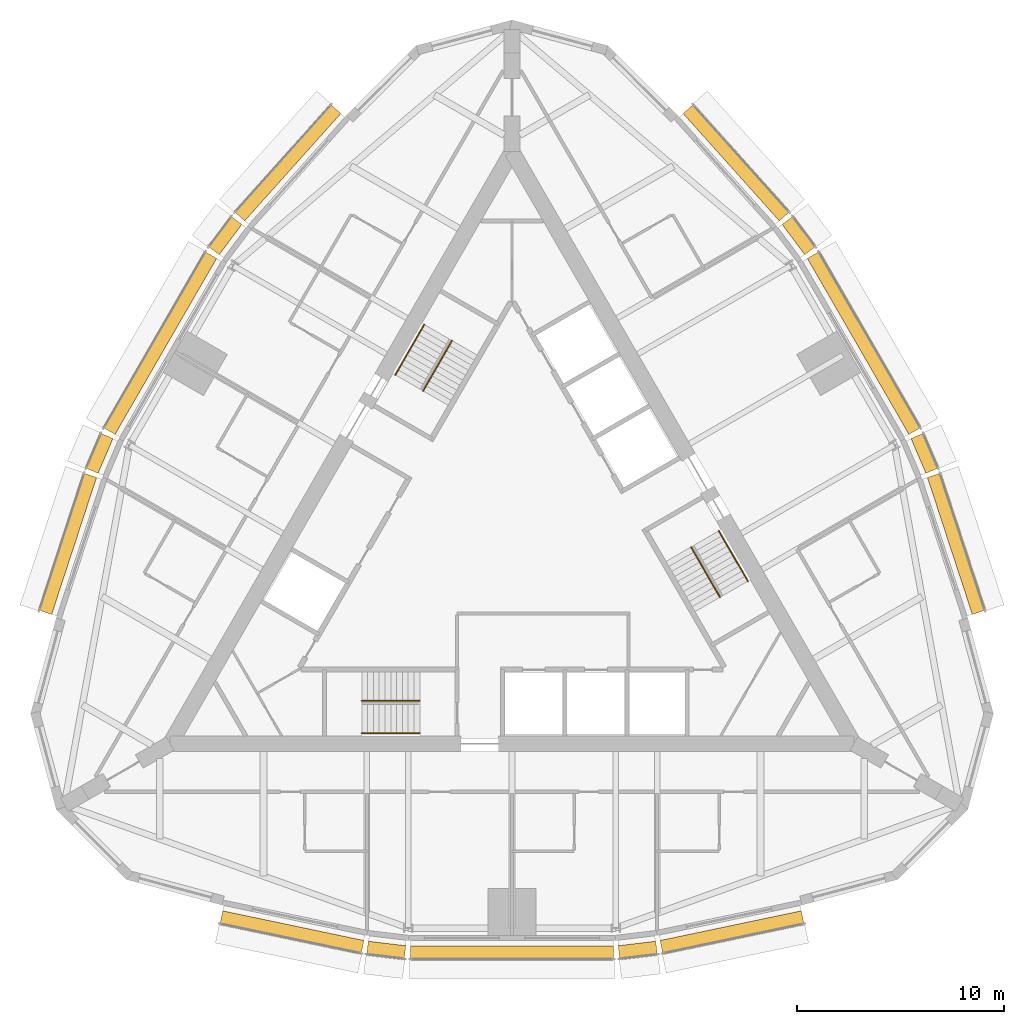
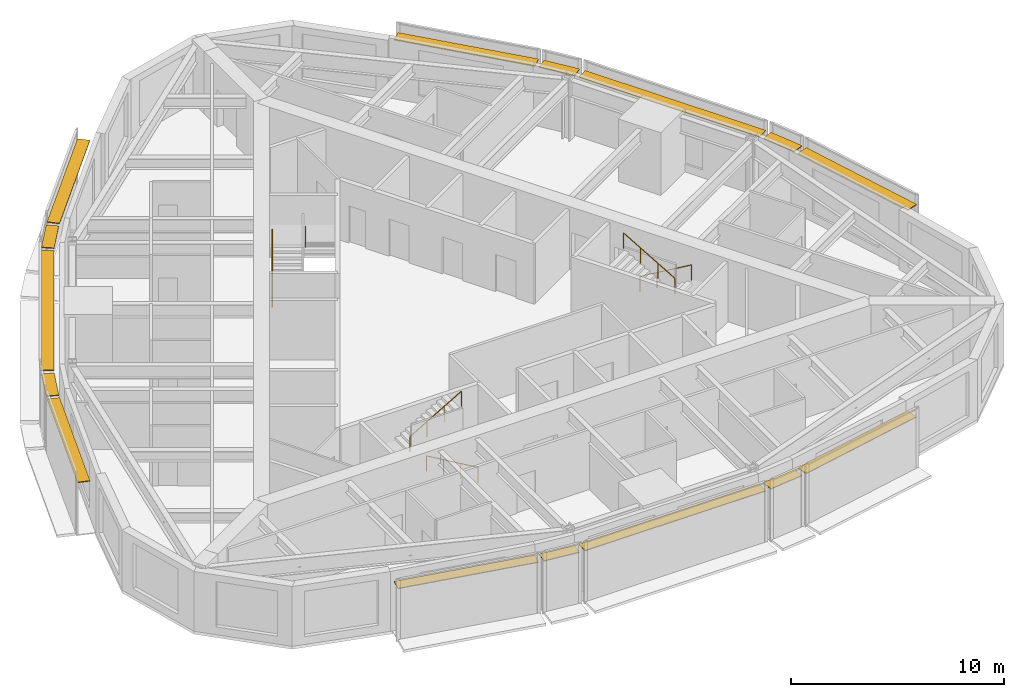
# One storey, part 12 of 12: 15 shading devices, 6 railings.
"""IFC4 building model written with IfcOpenShell, lengths in metres."""

import ifcopenshell
import ifcopenshell.guid

model = None  # the IFC model being written
_history = None  # IfcOwnerHistory: only IFC2X3 demands one
_inside = {}  # id of a spatial element -> (the spatial element, [elements in it])
_under = {}  # id of a project, library or spatial element -> (it, [spatial elements below it])
_declared = {}  # id of a project -> (the project, [libraries it declares])
_typed = {}  # id of a type object -> (the type object, [elements of that type])
_made_of = {}  # id of a material, layer set ... -> (it, [elements and type objects made of it])


def new_model(schema):
    """Start an empty IFC model of exactly this schema.

    Asked for "IFC4X3", IfcOpenShell would pick the latest addendum, in which some entities
    have other attributes; the version numbers below select the first issue.
    IFC2X3 requires an IfcOwnerHistory on every rooted entity: one is made here for all.
    """
    global model, _history
    if schema == "IFC4X3":
        model = ifcopenshell.file(schema_version=(4, 3, 0, 0))
    else:
        model = ifcopenshell.file(schema=schema)
    _inside.clear()
    _under.clear()
    _declared.clear()
    _typed.clear()
    _made_of.clear()
    _history = None
    if model.schema == "IFC2X3":
        org = make("IfcOrganization", Name="unknown")
        user = make(
            "IfcPersonAndOrganization",
            ThePerson=make("IfcPerson", FamilyName="unknown"),
            TheOrganization=org,
        )
        app = make(
            "IfcApplication",
            ApplicationDeveloper=org,
            Version="unknown",
            ApplicationFullName="unknown",
            ApplicationIdentifier="unknown",
        )
        _history = make(
            "IfcOwnerHistory",
            OwningUser=user,
            OwningApplication=app,
            ChangeAction="ADDED",
            CreationDate=0,
        )
    return model


def make(cls, **values):
    """One entity of the class cls with the attributes given. An attribute that is None is left unset."""
    return model.create_entity(
        cls, **{name: value for name, value in values.items() if value is not None}
    )


def rooted(cls, **values):
    """An entity with a GlobalId (a new one), such as an element, a storey or a relation."""
    return make(cls, GlobalId=ifcopenshell.guid.new(), OwnerHistory=_history, **values)


def si_unit(unit_type, name, prefix=None):
    """IfcSIUnit, for example si_unit("LENGTHUNIT", "METRE", prefix="MILLI")."""
    return make("IfcSIUnit", UnitType=unit_type, Prefix=prefix, Name=name)


def assignment(units):
    """IfcUnitAssignment: the units of a project."""
    return None if units is None else make("IfcUnitAssignment", Units=units)


def point(xyz):
    """IfcCartesianPoint."""
    return None if xyz is None else make("IfcCartesianPoint", Coordinates=xyz)


def direction(xyz):
    """IfcDirection."""
    return None if xyz is None else make("IfcDirection", DirectionRatios=xyz)


def frame(location, z_axis=None, x_axis=None):
    """IfcAxis2Placement3D, a coordinate frame: its origin and axes. An axis left out is left unset."""
    return make(
        "IfcAxis2Placement3D",
        Location=point(location),
        Axis=direction(z_axis),
        RefDirection=direction(x_axis),
    )


def frame_2d(location, x_axis=None):
    """IfcAxis2Placement2D, a coordinate frame in the plane: its origin and x axis."""
    return make(
        "IfcAxis2Placement2D", Location=point(location), RefDirection=direction(x_axis)
    )


def origin():
    """The frame at (0, 0, 0) with its axes left unset."""
    return frame((0.0, 0.0, 0.0))


def origin_2d():
    """The frame at (0, 0) in the plane with its x axis left unset."""
    return frame_2d((0.0, 0.0))


def place(relative_to, where):
    """IfcLocalPlacement: puts the frame where relative to a parent placement (None: the world)."""
    return make(
        "IfcLocalPlacement", PlacementRelTo=relative_to, RelativePlacement=where
    )


def context(
    kind, dimensions, precision=None, world=None, true_north=None, identifier=None
):
    """IfcGeometricRepresentationContext, for example the 3D "Model" context."""
    return make(
        "IfcGeometricRepresentationContext",
        ContextIdentifier=identifier,
        ContextType=kind,
        CoordinateSpaceDimension=dimensions,
        Precision=precision,
        WorldCoordinateSystem=world,
        TrueNorth=true_north,
    )


def subcontext(parent, identifier, kind, view, scale=None):
    """IfcGeometricRepresentationSubContext, for example "Body" below "Model"."""
    return make(
        "IfcGeometricRepresentationSubContext",
        ContextIdentifier=identifier,
        ContextType=kind,
        ParentContext=parent,
        TargetScale=scale,
        TargetView=view,
    )


def project(units=None, contexts=None):
    """IfcProject with its units and contexts."""
    return rooted(
        "IfcProject",
        Name="project",
        RepresentationContexts=contexts,
        UnitsInContext=assignment(units),
    )


def spatial(cls, under=None, at=None, **own):
    """A site, building, storey or space (cls), placed at a placement, below another one or the project."""
    s = rooted(cls, ObjectPlacement=at, **own)
    if under is not None:
        _under.setdefault(under.id(), (under, []))[1].append(s)
    return s


def profile(cls, at=None, kind="AREA", **sizes):
    """A parametric profile (cls). Its sizes go by their IFC names, for example OverallWidth=200.0."""
    return make(cls, ProfileType=kind, Position=at, **sizes)


def rectangle(**sizes):
    """IfcRectangleProfileDef."""
    return profile("IfcRectangleProfileDef", **sizes)


def circle(**sizes):
    """IfcCircleProfileDef."""
    return profile("IfcCircleProfileDef", **sizes)


def extrude(swept, where, along, depth):
    """IfcExtrudedAreaSolid: the profile swept, set in the frame where, extruded along a direction by depth."""
    return make(
        "IfcExtrudedAreaSolid",
        SweptArea=swept,
        Position=where,
        ExtrudedDirection=direction(along),
        Depth=depth,
    )


def shape(context_of_items, identifier, shape_type, items):
    """IfcShapeRepresentation: the items that make up one representation, for example the "Body"."""
    return make(
        "IfcShapeRepresentation",
        ContextOfItems=context_of_items,
        RepresentationIdentifier=identifier,
        RepresentationType=shape_type,
        Items=items,
    )


def material(Name=None, Category=None):
    """IfcMaterial."""
    return make("IfcMaterial", Name=Name, Category=Category)


def made_of(thing, what):
    """Note that an element or type object is made of a material, layer set ...; save() writes the relation."""
    if what is not None:
        _made_of.setdefault(what.id(), (what, []))[1].append(thing)
    return thing


def type_object(cls, material=None, **own):
    """A type object (cls), such as IfcWallType, which elements share."""
    return made_of(rooted(cls, **own), material)


def element(
    cls,
    number,
    at=None,
    inside=None,
    cuts=None,
    type_object=None,
    material=None,
    context=None,
    identifier="Body",
    shape_type=None,
    held_by="IfcProductDefinitionShape",
    body=None,
    shapes=None,
    **own,
):
    """One element of the class cls, such as IfcWall. Its Tag is "e" and its number.

    at: its placement. inside: the storey or other place that contains it. cuts: it is an
    opening in that element (IfcRelVoidsElement). A single representation is given by context,
    identifier, shape_type and body (its items); several are given by shapes. held_by: the class
    of the entity that holds the representations. save() writes the other relations.
    """
    e = rooted(cls, Tag="e%d" % number, ObjectPlacement=at, **own)
    if body is not None:
        shapes = [shape(context, identifier, shape_type, body)]
    if shapes is not None:
        e.Representation = make(held_by, Representations=shapes)
    if inside is not None:
        _inside.setdefault(inside.id(), (inside, []))[1].append(e)
    if cuts is not None:
        rooted(
            "IfcRelVoidsElement", RelatingBuildingElement=cuts, RelatedOpeningElement=e
        )
    if type_object is not None:
        _typed.setdefault(type_object.id(), (type_object, []))[1].append(e)
    return made_of(e, material)


def aggregate(whole, parts):
    """IfcRelAggregates: a whole, such as a stair, and the parts it consists of."""
    return rooted("IfcRelAggregates", RelatingObject=whole, RelatedObjects=parts)


def save(model, path):
    """Write the relations noted so far, then the file.

    IfcRelAggregates (storeys below a building ...), IfcRelContainedInSpatialStructure (elements
    in a storey), IfcRelDefinesByType, IfcRelAssociatesMaterial and IfcRelDeclares: one each for
    every whole, place, type object, material and project.
    """
    for whole, parts in _under.values():
        aggregate(whole, parts)
    for where, things in _inside.values():
        rooted(
            "IfcRelContainedInSpatialStructure",
            RelatedElements=things,
            RelatingStructure=where,
        )
    for kind, things in _typed.values():
        rooted("IfcRelDefinesByType", RelatedObjects=things, RelatingType=kind)
    for what, things in _made_of.values():
        rooted("IfcRelAssociatesMaterial", RelatedObjects=things, RelatingMaterial=what)
    for by, libraries in _declared.values():
        rooted("IfcRelDeclares", RelatingContext=by, RelatedDefinitions=libraries)
    model.write(path)


model = new_model("IFC4")

# Units and contexts
model_context = context("Model", 3, precision=1e-05, world=origin(), true_north=direction((0.0, 1.0)))
body_context = subcontext(model_context, "Body", "Model", "MODEL_VIEW")
ifc_project = project(units=[si_unit("LENGTHUNIT", "METRE"), si_unit("AREAUNIT", "SQUARE_METRE"), si_unit("VOLUMEUNIT", "CUBIC_METRE"), si_unit("PLANEANGLEUNIT", "RADIAN"), si_unit("MASSUNIT", "GRAM", prefix="KILO")], contexts=[model_context])

# Site, building, storey
site_placement = place(None, origin())
site = spatial("IfcSite", under=ifc_project, at=site_placement, CompositionType="ELEMENT")
building_placement = place(site_placement, origin())
building = spatial("IfcBuilding", under=site, at=building_placement, Name="Trikona Tower", CompositionType="ELEMENT")
storey_placement = place(building_placement, frame((0.0, 0.0, 242.89990234375)))
storey = spatial("IfcBuildingStorey", under=building, at=storey_placement, Name="L64", CompositionType="ELEMENT", Elevation=242.89990234375)

# Shading devices
ifc_material_1 = material(Name="Aluminium louvre blade, pale anodised", Category="aluminium")
shading_device_type = type_object("IfcShadingDeviceType", Name="Cavity louvre 600", PredefinedType="USERDEFINED", material=ifc_material_1)
shading_device_1_placement = place(storey_placement, frame((-10.6162109375, -18.6083984375, 2.97509765625), z_axis=(0.0, 0.0, 1.0), x_axis=(0.97865342171, -0.205517590916, 0.0)))
element("IfcShadingDevice", 1, at=shading_device_1_placement, inside=storey, type_object=shading_device_type, Name="Cavity louvre L64-00", ObjectType="LOUVRE", PredefinedType="USERDEFINED", context=body_context, shape_type="SweptSolid", body=[
    extrude(rectangle(XDim=6.962646484375, YDim=0.60009765625, at=origin_2d()), origin(), (0.0, 0.0, 1.0), 0.050048828125),
])
shading_device_2_placement = place(storey_placement, frame((-6.0673828125, -19.471435546875, 2.97509765625), z_axis=(0.0, 0.0, 1.0), x_axis=(0.992876783199, -0.11914568135, 0.0)))
element("IfcShadingDevice", 2, at=shading_device_2_placement, inside=storey, type_object=shading_device_type, Name="Cavity louvre L64-01", ObjectType="LOUVRE", PredefinedType="USERDEFINED", context=body_context, shape_type="SweptSolid", body=[
    extrude(rectangle(XDim=1.82421875, YDim=0.60009765625, at=origin_2d()), origin(), (0.0, 0.0, 1.0), 0.050048828125),
])
shading_device_3_placement = place(storey_placement, frame((0.0, -19.595458984375, 2.97509765625), z_axis=(0.0, 0.0, 1.0), x_axis=(1.0, 0.0, 0.0)))
element("IfcShadingDevice", 3, at=shading_device_3_placement, inside=storey, type_object=shading_device_type, Name="Cavity louvre L64-02", ObjectType="LOUVRE", PredefinedType="USERDEFINED", context=body_context, shape_type="SweptSolid", body=[
    extrude(rectangle(XDim=9.81005859375, YDim=0.60009765625, at=origin_2d()), origin(), (0.0, 0.0, 1.0), 0.050048828125),
])
shading_device_4_placement = place(storey_placement, frame((6.0673828125, -19.471435546875, 2.97509765625), z_axis=(0.0, 0.0, 1.0), x_axis=(0.992876783199, 0.11914568135, 0.0)))
element("IfcShadingDevice", 4, at=shading_device_4_placement, inside=storey, type_object=shading_device_type, Name="Cavity louvre L64-03", ObjectType="LOUVRE", PredefinedType="USERDEFINED", context=body_context, shape_type="SweptSolid", body=[
    extrude(rectangle(XDim=1.82421875, YDim=0.60009765625, at=origin_2d()), origin(), (0.0, 0.0, 1.0), 0.050048828125),
])
for number, where, z_axis, x_axis, name in (
    (5, (10.6162109375, -18.6083984375, 2.97509765625), (0.0, 0.0, 1.0), (0.97865342171, 0.205517590916, 0.0), "Cavity louvre L64-04"),
    (6, (21.423583984375, 0.1103515625, 2.97509765625), (0.0, 0.0, 1.0), (-0.311336621861, 0.950299693722, 0.0), "Cavity louvre L64-09"),
):
    element("IfcShadingDevice", number, at=place(storey_placement, frame(where, z_axis=z_axis, x_axis=x_axis)), inside=storey, type_object=shading_device_type, Name=name, ObjectType="LOUVRE", PredefinedType="USERDEFINED", context=body_context, shape_type="SweptSolid", body=[
        extrude(rectangle(XDim=6.962646484375, YDim=0.60009765625, at=origin_2d()), origin(), (0.0, 0.0, 1.0), 0.050048828125),
    ])
shading_device_5_placement = place(storey_placement, frame((19.896484375, 4.481201171875, 2.97509765625), z_axis=(0.0, 0.0, 1.0), x_axis=(-0.39328408933, 0.919417002823, 0.0)))
element("IfcShadingDevice", 7, at=shading_device_5_placement, inside=storey, type_object=shading_device_type, Name="Cavity louvre L64-10", ObjectType="LOUVRE", PredefinedType="USERDEFINED", context=body_context, shape_type="SweptSolid", body=[
    extrude(rectangle(XDim=1.82421875, YDim=0.60009765625, at=origin_2d()), origin(), (0.0, 0.0, 1.0), 0.050048828125),
])
shading_device_6_placement = place(storey_placement, frame((16.97021484375, 9.797607421875, 2.97509765625), z_axis=(0.0, 0.0, 1.0), x_axis=(-0.4999984885, 0.866026276448, 0.0)))
element("IfcShadingDevice", 8, at=shading_device_6_placement, inside=storey, type_object=shading_device_type, Name="Cavity louvre L64-11", ObjectType="LOUVRE", PredefinedType="USERDEFINED", context=body_context, shape_type="SweptSolid", body=[
    extrude(rectangle(XDim=9.81005859375, YDim=0.60009765625, at=origin_2d()), origin(), (0.0, 0.0, 1.0), 0.050048828125),
])
shading_device_7_placement = place(storey_placement, frame((13.8291015625, 14.990234375, 2.97509765625), z_axis=(0.0, 0.0, 1.0), x_axis=(-0.599618784879, 0.800285769472, 0.0)))
element("IfcShadingDevice", 9, at=shading_device_7_placement, inside=storey, type_object=shading_device_type, Name="Cavity louvre L64-12", ObjectType="LOUVRE", PredefinedType="USERDEFINED", context=body_context, shape_type="SweptSolid", body=[
    extrude(rectangle(XDim=1.82421875, YDim=0.60009765625, at=origin_2d()), origin(), (0.0, 0.0, 1.0), 0.050048828125),
])
for number, where, z_axis, x_axis, name in (
    (10, (10.807373046875, 18.498046875, 2.97509765625), (0.0, 0.0, 1.0), (-0.667311465398, 0.744778764566, 0.0), "Cavity louvre L64-13"),
    (11, (-10.807373046875, 18.498046875, 2.97509765625), (0.0, 0.0, 1.0), (-0.667311465398, -0.744778764566, 0.0), "Cavity louvre L64-18"),
):
    element("IfcShadingDevice", number, at=place(storey_placement, frame(where, z_axis=z_axis, x_axis=x_axis)), inside=storey, type_object=shading_device_type, Name=name, ObjectType="LOUVRE", PredefinedType="USERDEFINED", context=body_context, shape_type="SweptSolid", body=[
        extrude(rectangle(XDim=6.962646484375, YDim=0.60009765625, at=origin_2d()), origin(), (0.0, 0.0, 1.0), 0.050048828125),
    ])
shading_device_8_placement = place(storey_placement, frame((-13.8291015625, 14.990234375, 2.97509765625), z_axis=(0.0, 0.0, 1.0), x_axis=(-0.599618784879, -0.800285769472, 0.0)))
element("IfcShadingDevice", 12, at=shading_device_8_placement, inside=storey, type_object=shading_device_type, Name="Cavity louvre L64-19", ObjectType="LOUVRE", PredefinedType="USERDEFINED", context=body_context, shape_type="SweptSolid", body=[
    extrude(rectangle(XDim=1.82421875, YDim=0.60009765625, at=origin_2d()), origin(), (0.0, 0.0, 1.0), 0.050048828125),
])
shading_device_9_placement = place(storey_placement, frame((-16.97021484375, 9.797607421875, 2.97509765625), z_axis=(0.0, 0.0, 1.0), x_axis=(-0.4999984885, -0.866026276448, 0.0)))
element("IfcShadingDevice", 13, at=shading_device_9_placement, inside=storey, type_object=shading_device_type, Name="Cavity louvre L64-20", ObjectType="LOUVRE", PredefinedType="USERDEFINED", context=body_context, shape_type="SweptSolid", body=[
    extrude(rectangle(XDim=9.81005859375, YDim=0.60009765625, at=origin_2d()), origin(), (0.0, 0.0, 1.0), 0.050048828125),
])
shading_device_10_placement = place(storey_placement, frame((-19.896484375, 4.481201171875, 2.97509765625), z_axis=(0.0, 0.0, 1.0), x_axis=(-0.39328408933, -0.919417002823, 0.0)))
element("IfcShadingDevice", 14, at=shading_device_10_placement, inside=storey, type_object=shading_device_type, Name="Cavity louvre L64-21", ObjectType="LOUVRE", PredefinedType="USERDEFINED", context=body_context, shape_type="SweptSolid", body=[
    extrude(rectangle(XDim=1.82421875, YDim=0.60009765625, at=origin_2d()), origin(), (0.0, 0.0, 1.0), 0.050048828125),
])
shading_device_11_placement = place(storey_placement, frame((-21.423583984375, 0.1103515625, 2.97509765625), z_axis=(0.0, 0.0, 1.0), x_axis=(-0.311336621861, -0.950299693722, 0.0)))
element("IfcShadingDevice", 15, at=shading_device_11_placement, inside=storey, type_object=shading_device_type, Name="Cavity louvre L64-22", ObjectType="LOUVRE", PredefinedType="USERDEFINED", context=body_context, shape_type="SweptSolid", body=[
    extrude(rectangle(XDim=6.962646484375, YDim=0.60009765625, at=origin_2d()), origin(), (0.0, 0.0, 1.0), 0.050048828125),
])

# Railings
ifc_material_2 = material(Name="Stainless steel handrail", Category="steel")
railing_type = type_object("IfcRailingType", Name="Stair handrail", PredefinedType="HANDRAIL", material=ifc_material_2)
railing_1_placement = place(storey_placement, frame((-4.449951171875, -9.016357421875, 0.163818359375)))
element("IfcRailing", 16, at=railing_1_placement, inside=storey, type_object=railing_type, Name="Stair handrail A L64 1", PredefinedType="HANDRAIL", context=body_context, shape_type="SweptSolid", body=[
    extrude(circle(Radius=0.02392578125, at=origin_2d()), frame((0.0, 0.0, 0.8759765625), z_axis=(-0.863393664356, 0.0, 0.504530851732), x_axis=(0.0, -1.0, 0.0)), (0.0, 0.0, 1.0), 3.2431640625),
    extrude(circle(Radius=0.02099609375, at=origin_2d()), origin(), (0.0, 0.0, 1.0), 0.851806640625),
    extrude(circle(Radius=0.02099609375, at=origin_2d()), frame((-0.933349609375, 0.0, 0.54541015625)), (0.0, 0.0, 1.0), 0.851806640625),
    extrude(circle(Radius=0.02099609375, at=origin_2d()), frame((-1.86669921875, 0.0, 1.0908203125)), (0.0, 0.0, 1.0), 0.851806640625),
    extrude(circle(Radius=0.02099609375, at=origin_2d()), frame((-2.800048828125, 0.0, 1.63623046875)), (0.0, 0.0, 1.0), 0.851806640625),
])
railing_2_placement = place(storey_placement, frame((-7.25, -7.46630859375, 1.963623046875)))
element("IfcRailing", 17, at=railing_2_placement, inside=storey, type_object=railing_type, Name="Stair handrail A L64 2", PredefinedType="HANDRAIL", context=body_context, shape_type="SweptSolid", body=[
    extrude(circle(Radius=0.02392578125, at=origin_2d()), frame((0.0, 0.0, 0.8759765625), z_axis=(0.863360870873, 0.0, 0.504586966384), x_axis=(0.0, 1.0, 0.0)), (0.0, 0.0, 1.0), 3.2431640625),
    extrude(circle(Radius=0.02099609375, at=origin_2d()), origin(), (0.0, 0.0, 1.0), 0.851806640625),
    extrude(circle(Radius=0.02099609375, at=origin_2d()), frame((0.933349609375, 0.0, 0.54541015625)), (0.0, 0.0, 1.0), 0.851806640625),
    extrude(circle(Radius=0.02099609375, at=origin_2d()), frame((1.86669921875, 0.0, 1.091064453125)), (0.0, 0.0, 1.0), 0.851806640625),
    extrude(circle(Radius=0.02099609375, at=origin_2d()), frame((2.800048828125, 0.0, 1.636474609375)), (0.0, 0.0, 1.0), 0.851806640625),
])
railing_3_placement = place(storey_placement, frame((9.9833984375, 0.740966796875, 0.163818359375)))
element("IfcRailing", 18, at=railing_3_placement, inside=storey, type_object=railing_type, Name="Stair handrail B L64 1", PredefinedType="HANDRAIL", context=body_context, shape_type="SweptSolid", body=[
    extrude(circle(Radius=0.02392578125, at=origin_2d()), frame((0.0, 0.0, 0.8759765625), z_axis=(0.43165272891, -0.747751404999, 0.504523297725), x_axis=(0.866056369097, 0.49994636267, 0.0)), (0.0, 0.0, 1.0), 3.2431640625),
    extrude(circle(Radius=0.02099609375, at=origin_2d()), origin(), (0.0, 0.0, 1.0), 0.851806640625),
    extrude(circle(Radius=0.02099609375, at=origin_2d()), frame((0.466552734375, -0.808349609375, 0.54541015625)), (0.0, 0.0, 1.0), 0.851806640625),
    extrude(circle(Radius=0.02099609375, at=origin_2d()), frame((0.933349609375, -1.61669921875, 1.0908203125)), (0.0, 0.0, 1.0), 0.851806640625),
    extrude(circle(Radius=0.02099609375, at=origin_2d()), frame((1.39990234375, -2.425048828125, 1.63623046875)), (0.0, 0.0, 1.0), 0.851806640625),
])
railing_4_placement = place(storey_placement, frame((10.041015625, -2.458984375, 1.963623046875)))
element("IfcRailing", 19, at=railing_4_placement, inside=storey, type_object=railing_type, Name="Stair handrail B L64 2", PredefinedType="HANDRAIL", context=body_context, shape_type="SweptSolid", body=[
    extrude(circle(Radius=0.02392578125, at=origin_2d()), frame((0.0, 0.0, 0.8759765625), z_axis=(-0.431636334334, 0.747723004699, 0.504579412111), x_axis=(-0.866056369097, -0.49994636267, 0.0)), (0.0, 0.0, 1.0), 3.2431640625),
    extrude(circle(Radius=0.02099609375, at=origin_2d()), origin(), (0.0, 0.0, 1.0), 0.851806640625),
    extrude(circle(Radius=0.02099609375, at=origin_2d()), frame((-0.466552734375, 0.808349609375, 0.54541015625)), (0.0, 0.0, 1.0), 0.851806640625),
    extrude(circle(Radius=0.02099609375, at=origin_2d()), frame((-0.933349609375, 1.61669921875, 1.091064453125)), (0.0, 0.0, 1.0), 0.851806640625),
    extrude(circle(Radius=0.02099609375, at=origin_2d()), frame((-1.39990234375, 2.425048828125, 1.636474609375)), (0.0, 0.0, 1.0), 0.851806640625),
])
railing_5_placement = place(storey_placement, frame((-5.63330078125, 8.275390625, 0.163818359375)))
element("IfcRailing", 20, at=railing_5_placement, inside=storey, type_object=railing_type, Name="Stair handrail C L64 1", PredefinedType="HANDRAIL", context=body_context, shape_type="SweptSolid", body=[
    extrude(circle(Radius=0.02392578125, at=origin_2d()), frame((0.0, 0.0, 0.8759765625), z_axis=(0.431677027627, 0.74771821388, 0.504551698492), x_axis=(-0.866034573852, 0.49998411664, 0.0)), (0.0, 0.0, 1.0), 3.242919921875),
    extrude(circle(Radius=0.02099609375, at=origin_2d()), origin(), (0.0, 0.0, 1.0), 0.851806640625),
    extrude(circle(Radius=0.02099609375, at=origin_2d()), frame((0.466552734375, 0.808349609375, 0.54541015625)), (0.0, 0.0, 1.0), 0.851806640625),
    extrude(circle(Radius=0.02099609375, at=origin_2d()), frame((0.933349609375, 1.616455078125, 1.0908203125)), (0.0, 0.0, 1.0), 0.851806640625),
    extrude(circle(Radius=0.02099609375, at=origin_2d()), frame((1.39990234375, 2.4248046875, 1.63623046875)), (0.0, 0.0, 1.0), 0.851806640625),
])
railing_6_placement = place(storey_placement, frame((-2.89111328125, 9.92529296875, 1.963623046875)))
element("IfcRailing", 21, at=railing_6_placement, inside=storey, type_object=railing_type, Name="Stair handrail C L64 2", PredefinedType="HANDRAIL", context=body_context, shape_type="SweptSolid", body=[
    extrude(circle(Radius=0.02392578125, at=origin_2d()), frame((0.0, 0.0, 0.8759765625), z_axis=(-0.431636334334, -0.747723004699, 0.504579412111), x_axis=(0.866056369097, -0.49994636267, 0.0)), (0.0, 0.0, 1.0), 3.2431640625),
    extrude(circle(Radius=0.02099609375, at=origin_2d()), origin(), (0.0, 0.0, 1.0), 0.851806640625),
    extrude(circle(Radius=0.02099609375, at=origin_2d()), frame((-0.466552734375, -0.808349609375, 0.54541015625)), (0.0, 0.0, 1.0), 0.851806640625),
    extrude(circle(Radius=0.02099609375, at=origin_2d()), frame((-0.933349609375, -1.61669921875, 1.091064453125)), (0.0, 0.0, 1.0), 0.851806640625),
    extrude(circle(Radius=0.02099609375, at=origin_2d()), frame((-1.39990234375, -2.425048828125, 1.636474609375)), (0.0, 0.0, 1.0), 0.851806640625),
])

save(model, "model.ifc")
